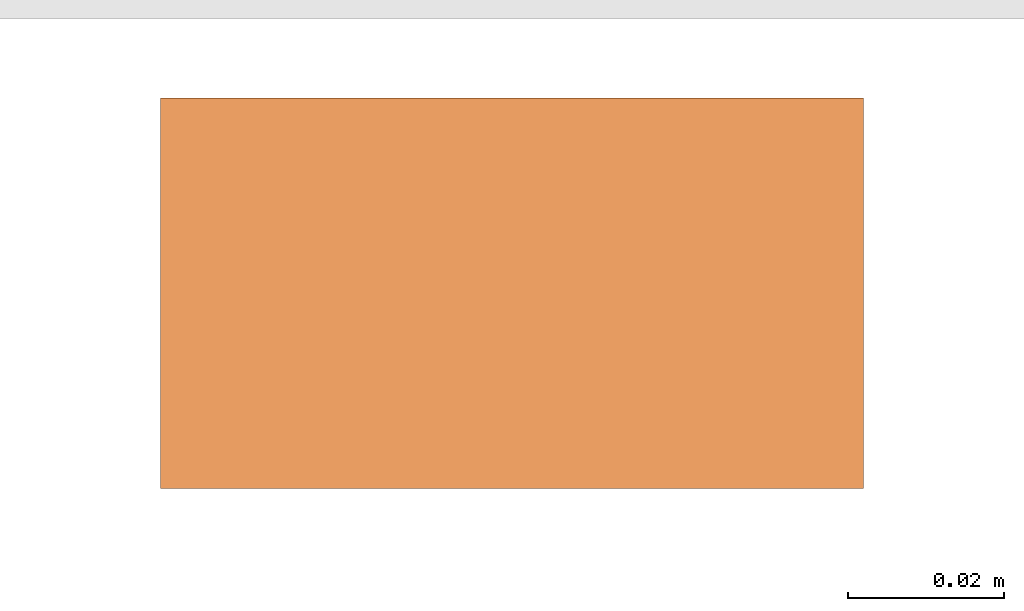
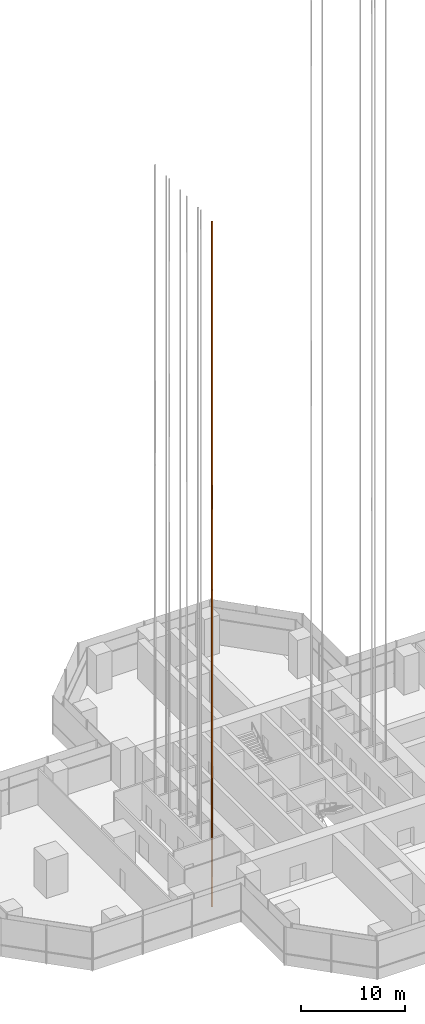
# One storey, part 21 of 34: 1 proxy.
"""IFC4 building model written with IfcOpenShell, lengths in metres."""

from ifc_helpers import new_model, si_unit, direction, frame, origin, origin_2d, place, context, subcontext, project, spatial, rectangle, extrude, material, element, save


model = new_model("IFC4")

# Units and contexts
model_context = context("Model", 3, precision=1e-05, world=origin(), true_north=direction((0.0, 1.0)))
body_context = subcontext(model_context, "Body", "Model", "MODEL_VIEW")
ifc_project = project(units=[si_unit("LENGTHUNIT", "METRE"), si_unit("AREAUNIT", "SQUARE_METRE"), si_unit("VOLUMEUNIT", "CUBIC_METRE"), si_unit("PLANEANGLEUNIT", "RADIAN"), si_unit("MASSUNIT", "GRAM", prefix="KILO")], contexts=[model_context])

# Site, building, storey
site_placement = place(None, origin())
site = spatial("IfcSite", under=ifc_project, at=site_placement, CompositionType="ELEMENT")
building_placement = place(site_placement, origin())
building = spatial("IfcBuilding", under=site, at=building_placement, Name="Mizan Broadcast Tower", CompositionType="ELEMENT")
storey_placement = place(building_placement, frame((0.0, 0.0, 194.39990234375)))
storey = spatial("IfcBuildingStorey", under=building, at=storey_placement, Name="L45", CompositionType="ELEMENT", Elevation=194.39990234375)

# Proxy
ifc_material = material(Name="Steel guide rail", Category="steel")
proxy_placement = place(storey_placement, frame((-12.27490234375, -5.485107421875, -3.89990234375), z_axis=(0.0, 0.0, 1.0), x_axis=(1.0, 0.0, 0.0)))
element("IfcBuildingElementProxy", 1, at=proxy_placement, inside=storey, material=ifc_material, Name="Guide rail LC4-1", PredefinedType="NOTDEFINED", context=body_context, shape_type="SweptSolid", body=[
    extrude(rectangle(XDim=0.090087890625, YDim=0.050048828125, at=origin_2d()), origin(), (0.0, 0.0, 1.0), 80.52001953125),
])

save(model, "model.ifc")
